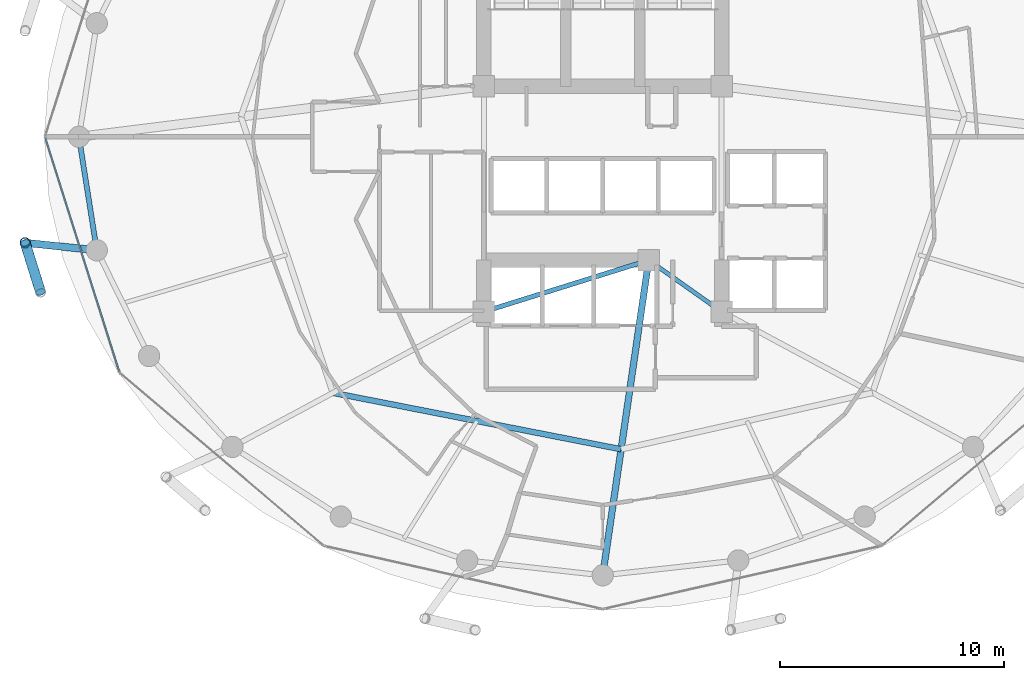
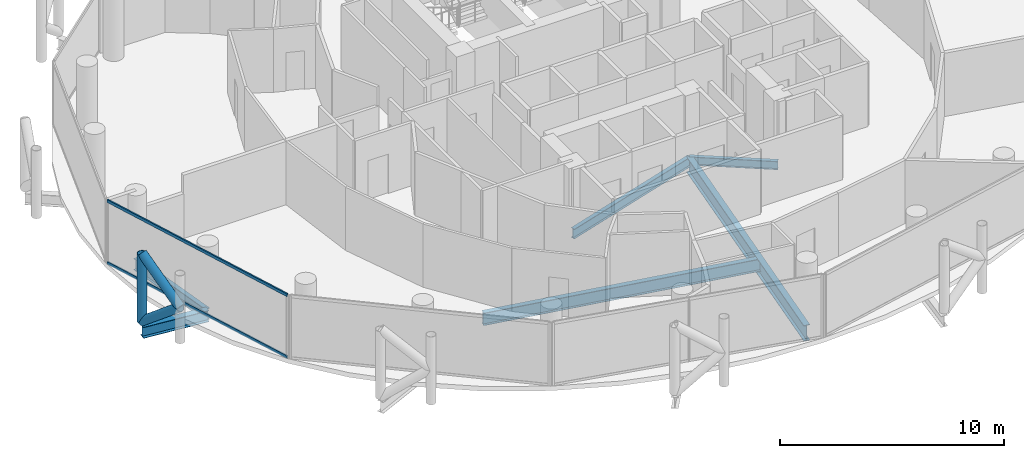
# One storey, part 5 of 26: 6 beams, 5 members, 1 element without a shape of its own.
"""IFC4 building model written with IfcOpenShell, lengths in metres."""

import ifcopenshell
import ifcopenshell.guid

model = None  # the IFC model being written
_history = None  # IfcOwnerHistory: only IFC2X3 demands one
_inside = {}  # id of a spatial element -> (the spatial element, [elements in it])
_under = {}  # id of a project, library or spatial element -> (it, [spatial elements below it])
_declared = {}  # id of a project -> (the project, [libraries it declares])
_typed = {}  # id of a type object -> (the type object, [elements of that type])
_made_of = {}  # id of a material, layer set ... -> (it, [elements and type objects made of it])


def new_model(schema):
    """Start an empty IFC model of exactly this schema.

    Asked for "IFC4X3", IfcOpenShell would pick the latest addendum, in which some entities
    have other attributes; the version numbers below select the first issue.
    IFC2X3 requires an IfcOwnerHistory on every rooted entity: one is made here for all.
    """
    global model, _history
    if schema == "IFC4X3":
        model = ifcopenshell.file(schema_version=(4, 3, 0, 0))
    else:
        model = ifcopenshell.file(schema=schema)
    _inside.clear()
    _under.clear()
    _declared.clear()
    _typed.clear()
    _made_of.clear()
    _history = None
    if model.schema == "IFC2X3":
        org = make("IfcOrganization", Name="unknown")
        user = make(
            "IfcPersonAndOrganization",
            ThePerson=make("IfcPerson", FamilyName="unknown"),
            TheOrganization=org,
        )
        app = make(
            "IfcApplication",
            ApplicationDeveloper=org,
            Version="unknown",
            ApplicationFullName="unknown",
            ApplicationIdentifier="unknown",
        )
        _history = make(
            "IfcOwnerHistory",
            OwningUser=user,
            OwningApplication=app,
            ChangeAction="ADDED",
            CreationDate=0,
        )
    return model


def make(cls, **values):
    """One entity of the class cls with the attributes given. An attribute that is None is left unset."""
    return model.create_entity(
        cls, **{name: value for name, value in values.items() if value is not None}
    )


def rooted(cls, **values):
    """An entity with a GlobalId (a new one), such as an element, a storey or a relation."""
    return make(cls, GlobalId=ifcopenshell.guid.new(), OwnerHistory=_history, **values)


def si_unit(unit_type, name, prefix=None):
    """IfcSIUnit, for example si_unit("LENGTHUNIT", "METRE", prefix="MILLI")."""
    return make("IfcSIUnit", UnitType=unit_type, Prefix=prefix, Name=name)


def assignment(units):
    """IfcUnitAssignment: the units of a project."""
    return None if units is None else make("IfcUnitAssignment", Units=units)


def point(xyz):
    """IfcCartesianPoint."""
    return None if xyz is None else make("IfcCartesianPoint", Coordinates=xyz)


def direction(xyz):
    """IfcDirection."""
    return None if xyz is None else make("IfcDirection", DirectionRatios=xyz)


def frame(location, z_axis=None, x_axis=None):
    """IfcAxis2Placement3D, a coordinate frame: its origin and axes. An axis left out is left unset."""
    return make(
        "IfcAxis2Placement3D",
        Location=point(location),
        Axis=direction(z_axis),
        RefDirection=direction(x_axis),
    )


def frame_2d(location, x_axis=None):
    """IfcAxis2Placement2D, a coordinate frame in the plane: its origin and x axis."""
    return make(
        "IfcAxis2Placement2D", Location=point(location), RefDirection=direction(x_axis)
    )


def origin():
    """The frame at (0, 0, 0) with its axes left unset."""
    return frame((0.0, 0.0, 0.0))


def origin_2d():
    """The frame at (0, 0) in the plane with its x axis left unset."""
    return frame_2d((0.0, 0.0))


def place(relative_to, where):
    """IfcLocalPlacement: puts the frame where relative to a parent placement (None: the world)."""
    return make(
        "IfcLocalPlacement", PlacementRelTo=relative_to, RelativePlacement=where
    )


def context(
    kind, dimensions, precision=None, world=None, true_north=None, identifier=None
):
    """IfcGeometricRepresentationContext, for example the 3D "Model" context."""
    return make(
        "IfcGeometricRepresentationContext",
        ContextIdentifier=identifier,
        ContextType=kind,
        CoordinateSpaceDimension=dimensions,
        Precision=precision,
        WorldCoordinateSystem=world,
        TrueNorth=true_north,
    )


def subcontext(parent, identifier, kind, view, scale=None):
    """IfcGeometricRepresentationSubContext, for example "Body" below "Model"."""
    return make(
        "IfcGeometricRepresentationSubContext",
        ContextIdentifier=identifier,
        ContextType=kind,
        ParentContext=parent,
        TargetScale=scale,
        TargetView=view,
    )


def project(units=None, contexts=None):
    """IfcProject with its units and contexts."""
    return rooted(
        "IfcProject",
        Name="project",
        RepresentationContexts=contexts,
        UnitsInContext=assignment(units),
    )


def spatial(cls, under=None, at=None, **own):
    """A site, building, storey or space (cls), placed at a placement, below another one or the project."""
    s = rooted(cls, ObjectPlacement=at, **own)
    if under is not None:
        _under.setdefault(under.id(), (under, []))[1].append(s)
    return s


def profile(cls, at=None, kind="AREA", **sizes):
    """A parametric profile (cls). Its sizes go by their IFC names, for example OverallWidth=200.0."""
    return make(cls, ProfileType=kind, Position=at, **sizes)


def hollow_rectangle(**sizes):
    """IfcRectangleHollowProfileDef."""
    return profile("IfcRectangleHollowProfileDef", **sizes)


def hollow_circle(**sizes):
    """IfcCircleHollowProfileDef."""
    return profile("IfcCircleHollowProfileDef", **sizes)


def i_section(**sizes):
    """IfcIShapeProfileDef."""
    return profile("IfcIShapeProfileDef", **sizes)


def extrude(swept, where, along, depth):
    """IfcExtrudedAreaSolid: the profile swept, set in the frame where, extruded along a direction by depth."""
    return make(
        "IfcExtrudedAreaSolid",
        SweptArea=swept,
        Position=where,
        ExtrudedDirection=direction(along),
        Depth=depth,
    )


def shape(context_of_items, identifier, shape_type, items):
    """IfcShapeRepresentation: the items that make up one representation, for example the "Body"."""
    return make(
        "IfcShapeRepresentation",
        ContextOfItems=context_of_items,
        RepresentationIdentifier=identifier,
        RepresentationType=shape_type,
        Items=items,
    )


def material(Name=None, Category=None):
    """IfcMaterial."""
    return make("IfcMaterial", Name=Name, Category=Category)


def layer(
    of_material, thickness, ventilated=None, Name=None, Category=None, Priority=None
):
    """IfcMaterialLayer: one layer of a wall or slab, of a material (None: an air gap)."""
    return make(
        "IfcMaterialLayer",
        Material=of_material,
        LayerThickness=thickness,
        IsVentilated=ventilated,
        Name=Name,
        Category=Category,
        Priority=Priority,
    )


def layer_set(layers, Name=None):
    """IfcMaterialLayerSet."""
    return make("IfcMaterialLayerSet", MaterialLayers=layers, LayerSetName=Name)


def material_profile(
    of_material, cross_section, Name=None, Category=None, Priority=None
):
    """IfcMaterialProfile: a cross section and its material."""
    return make(
        "IfcMaterialProfile",
        Name=Name,
        Material=of_material,
        Profile=cross_section,
        Priority=Priority,
        Category=Category,
    )


def profile_set(profiles, Name=None, composite=None):
    """IfcMaterialProfileSet."""
    return make(
        "IfcMaterialProfileSet",
        Name=Name,
        MaterialProfiles=profiles,
        CompositeProfile=composite,
    )


def made_of(thing, what):
    """Note that an element or type object is made of a material, layer set ...; save() writes the relation."""
    if what is not None:
        _made_of.setdefault(what.id(), (what, []))[1].append(thing)
    return thing


def type_object(cls, material=None, **own):
    """A type object (cls), such as IfcWallType, which elements share."""
    return made_of(rooted(cls, **own), material)


def element(
    cls,
    number,
    at=None,
    inside=None,
    cuts=None,
    type_object=None,
    material=None,
    context=None,
    identifier="Body",
    shape_type=None,
    held_by="IfcProductDefinitionShape",
    body=None,
    shapes=None,
    **own,
):
    """One element of the class cls, such as IfcWall. Its Tag is "e" and its number.

    at: its placement. inside: the storey or other place that contains it. cuts: it is an
    opening in that element (IfcRelVoidsElement). A single representation is given by context,
    identifier, shape_type and body (its items); several are given by shapes. held_by: the class
    of the entity that holds the representations. save() writes the other relations.
    """
    e = rooted(cls, Tag="e%d" % number, ObjectPlacement=at, **own)
    if body is not None:
        shapes = [shape(context, identifier, shape_type, body)]
    if shapes is not None:
        e.Representation = make(held_by, Representations=shapes)
    if inside is not None:
        _inside.setdefault(inside.id(), (inside, []))[1].append(e)
    if cuts is not None:
        rooted(
            "IfcRelVoidsElement", RelatingBuildingElement=cuts, RelatedOpeningElement=e
        )
    if type_object is not None:
        _typed.setdefault(type_object.id(), (type_object, []))[1].append(e)
    return made_of(e, material)


def aggregate(whole, parts):
    """IfcRelAggregates: a whole, such as a stair, and the parts it consists of."""
    return rooted("IfcRelAggregates", RelatingObject=whole, RelatedObjects=parts)


def save(model, path):
    """Write the relations noted so far, then the file.

    IfcRelAggregates (storeys below a building ...), IfcRelContainedInSpatialStructure (elements
    in a storey), IfcRelDefinesByType, IfcRelAssociatesMaterial and IfcRelDeclares: one each for
    every whole, place, type object, material and project.
    """
    for whole, parts in _under.values():
        aggregate(whole, parts)
    for where, things in _inside.values():
        rooted(
            "IfcRelContainedInSpatialStructure",
            RelatedElements=things,
            RelatingStructure=where,
        )
    for kind, things in _typed.values():
        rooted("IfcRelDefinesByType", RelatedObjects=things, RelatingType=kind)
    for what, things in _made_of.values():
        rooted("IfcRelAssociatesMaterial", RelatedObjects=things, RelatingMaterial=what)
    for by, libraries in _declared.values():
        rooted("IfcRelDeclares", RelatingContext=by, RelatedDefinitions=libraries)
    model.write(path)


model = new_model("IFC4")

# Units and contexts
model_context = context("Model", 3, precision=1e-05, world=origin(), true_north=direction((0.0, 1.0)))
body_context = subcontext(model_context, "Body", "Model", "MODEL_VIEW")
ifc_project = project(units=[si_unit("LENGTHUNIT", "METRE"), si_unit("AREAUNIT", "SQUARE_METRE"), si_unit("VOLUMEUNIT", "CUBIC_METRE"), si_unit("PLANEANGLEUNIT", "RADIAN"), si_unit("MASSUNIT", "GRAM", prefix="KILO")], contexts=[model_context])

# Site, building, storey
site_placement = place(None, origin())
site = spatial("IfcSite", under=ifc_project, at=site_placement, CompositionType="ELEMENT")
building_placement = place(site_placement, origin())
building = spatial("IfcBuilding", under=site, at=building_placement, Name="Nuhasar Tower", CompositionType="ELEMENT")
storey_placement = place(building_placement, frame((0.0, 0.0, 181.14990234375)))
storey = spatial("IfcBuildingStorey", under=building, at=storey_placement, Name="L44", CompositionType="ELEMENT", Elevation=181.14990234375)

# Beams
ifc_material_1 = material(Name="Steel S355", Category="steel")
ifc_material_profile_1 = material_profile(ifc_material_1, i_section(OverallWidth=0.25390625, OverallDepth=0.68408203125, WebThickness=0.012451171875, FlangeThickness=0.018798828125, at=origin_2d()), Name="W27X94")
ifc_profile_set_1 = profile_set([ifc_material_profile_1], Name="Steel S355")
beam_type_1 = type_object("IfcBeamType", Name="BM-INRING-W27X94", PredefinedType="BEAM", material=ifc_profile_set_1)
beam_1_placement = place(storey_placement, frame((26.972900390625, 15.385986328125, -0.591796875), z_axis=(0.981359637088, -0.192180286956, 0.0), x_axis=(0.192180286956, 0.981359637088, 0.0)))
element("IfcBeam", 1, at=beam_1_placement, inside=storey, type_object=beam_type_1, Name="L44 Inner Header Beam 01", PredefinedType="BEAM", context=body_context, shape_type="SweptSolid", body=[
    extrude(i_section(OverallWidth=0.25390625, OverallDepth=0.68408203125, WebThickness=0.012451171875, FlangeThickness=0.018798828125, at=origin_2d()), origin(), (0.0, 0.0, 1.0), 13.09130859375),
])
ifc_material_profile_2 = material_profile(ifc_material_1, i_section(OverallWidth=0.2919921875, OverallDepth=0.85888671875, WebThickness=0.01708984375, FlangeThickness=0.031005859375, at=origin_2d()), Name="W33X169")
ifc_profile_set_2 = profile_set([ifc_material_profile_2], Name="Steel S355")
beam_type_2 = type_object("IfcBeamType", Name="BM-POD-W33X169", PredefinedType="BEAM", material=ifc_profile_set_2)
beam_2_placement = place(storey_placement, frame((41.050048828125, 21.300048828125, -0.678955078125), z_axis=(-0.144381604017, -0.989522082837, 0.0), x_axis=(0.989522082837, -0.144381604017, 0.0)))
element("IfcBeam", 2, at=beam_2_placement, inside=storey, type_object=beam_type_2, Name="L44 Radial Floor Girder 02", PredefinedType="BEAM", context=body_context, shape_type="SweptSolid", body=[
    extrude(i_section(OverallWidth=0.2919921875, OverallDepth=0.85888671875, WebThickness=0.01708984375, FlangeThickness=0.031005859375, at=origin_2d()), origin(), (0.0, 0.0, 1.0), 14.19873046875),
])
ifc_material_profile_3 = material_profile(ifc_material_1, i_section(OverallWidth=0.18994140625, OverallDepth=0.45703125, WebThickness=0.009033203125, FlangeThickness=0.014404296875, at=origin_2d()), Name="W18X50")
ifc_profile_set_3 = profile_set([ifc_material_profile_3], Name="Steel S355")
beam_type_3 = type_object("IfcBeamType", Name="BM-RAD-W18X50", PredefinedType="BEAM", material=ifc_profile_set_3)
beam_3_placement = place(storey_placement, frame((41.050048828125, 21.300048828125, -0.477783203125), z_axis=(0.816265428953, -0.577677028708, 0.0), x_axis=(0.577677028708, 0.816265428953, 0.0)))
element("IfcBeam", 3, at=beam_3_placement, inside=storey, type_object=beam_type_3, Name="L44 Core Ring Girder 2", PredefinedType="BEAM", context=body_context, shape_type="SweptSolid", body=[
    extrude(i_section(OverallWidth=0.18994140625, OverallDepth=0.45703125, WebThickness=0.009033203125, FlangeThickness=0.014404296875, at=origin_2d()), origin(), (0.0, 0.0, 1.0), 3.9814453125),
])
ifc_material_profile_4 = material_profile(ifc_material_1, i_section(OverallWidth=0.208984375, OverallDepth=0.532958984375, WebThickness=0.01025390625, FlangeThickness=0.015625, at=origin_2d()), Name="W21X62")
ifc_profile_set_4 = profile_set([ifc_material_profile_4], Name="Steel S355")
beam_type_4 = type_object("IfcBeamType", Name="BM-RAD-W21X62", PredefinedType="BEAM", material=ifc_profile_set_4)
beam_4_placement = place(storey_placement, frame((33.699951171875, 19.0, -0.516845703125), z_axis=(0.954363709454, 0.298646798205, 0.0), x_axis=(-0.298646798205, 0.954363709454, 0.0)))
element("IfcBeam", 4, at=beam_4_placement, inside=storey, type_object=beam_type_4, Name="L44 Core Ring Girder 1", PredefinedType="BEAM", context=body_context, shape_type="SweptSolid", body=[
    extrude(i_section(OverallWidth=0.208984375, OverallDepth=0.532958984375, WebThickness=0.01025390625, FlangeThickness=0.015625, at=origin_2d()), origin(), (0.0, 0.0, 1.0), 7.70166015625),
])
ifc_material_profile_5 = material_profile(ifc_material_1, i_section(OverallWidth=0.22998046875, OverallDepth=0.616943359375, WebThickness=0.01318359375, FlangeThickness=0.022216796875, at=origin_2d()), Name="W24X94")
ifc_profile_set_5 = profile_set([ifc_material_profile_5], Name="Steel S355")
beam_type_5 = type_object("IfcBeamType", Name="BM-RING-W24X94", PredefinedType="SPANDREL", material=ifc_profile_set_5)
beam_5_placement = place(storey_placement, frame((15.64990234375, 26.800048828125, -0.558837890625), z_axis=(0.155426543608, -0.987847452566, 0.0), x_axis=(0.987847452566, 0.155426543608, 0.0)))
element("IfcBeam", 5, at=beam_5_placement, inside=storey, type_object=beam_type_5, Name="L44 Perimeter Ring Spandrel 13", PredefinedType="SPANDREL", context=body_context, shape_type="SweptSolid", body=[
    extrude(i_section(OverallWidth=0.22998046875, OverallDepth=0.616943359375, WebThickness=0.01318359375, FlangeThickness=0.022216796875, at=origin_2d()), origin(), (0.0, 0.0, 1.0), 5.122314453125),
])
ifc_material_profile_6 = material_profile(ifc_material_1, i_section(OverallWidth=0.323974609375, OverallDepth=0.611083984375, WebThickness=0.0126953125, FlangeThickness=0.01904296875, at=origin_2d()), Name="W24X104")
ifc_profile_set_6 = profile_set([ifc_material_profile_6], Name="Steel S355")
beam_type_6 = type_object("IfcBeamType", Name="BM-TIE-W24X104", PredefinedType="BEAM", material=ifc_profile_set_6)
beam_6_placement = place(storey_placement, frame((16.446044921875, 21.739990234375, -0.554931640625), z_axis=(-0.994577694483, 0.103996200111, 0.0), x_axis=(-0.103996200111, -0.994577694483, 0.0)))
element("IfcBeam", 6, at=beam_6_placement, inside=storey, type_object=beam_type_6, Name="L44 Exoskeleton Node Tie Beam 07", PredefinedType="BEAM", context=body_context, shape_type="SweptSolid", body=[
    extrude(i_section(OverallWidth=0.323974609375, OverallDepth=0.611083984375, WebThickness=0.0126953125, FlangeThickness=0.01904296875, at=origin_2d()), origin(), (0.0, 0.0, 1.0), 3.21142578125),
])

# Curtain wall, members
ifc_material_2 = material(Name="Aluminium 6063-T6", Category="aluminium")
ifc_layer = layer(ifc_material_2, 0.199951171875)
ifc_layer_set = layer_set([ifc_layer], Name="Aluminium 6063-T6")
curtain_wall_type = type_object("IfcCurtainWallType", Name="CW-Z2-HTL", PredefinedType="NOTDEFINED", material=ifc_layer_set)
curtain_wall_placement = place(storey_placement, origin())
curtain_wall = element("IfcCurtainWall", 7, at=curtain_wall_placement, inside=storey, type_object=curtain_wall_type, Name="L44 Unitised Curtain Wall 07", PredefinedType="NOTDEFINED")
ifc_material_profile_7 = material_profile(ifc_material_2, hollow_rectangle(XDim=0.070068359375, YDim=0.159912109375, WallThickness=0.00439453125, at=origin_2d()), Name="CWT-3")
ifc_profile_set_7 = profile_set([ifc_material_profile_7], Name="Aluminium 6063-T6")
member_type_1 = type_object("IfcMemberType", Name="CW-TRN-S3", PredefinedType="USERDEFINED", material=ifc_profile_set_7)
member_1_placement = place(storey_placement, frame((14.1611328125, 26.733154296875, 0.03515625), z_axis=(0.301608163352, -0.953431967053, 0.0), x_axis=(0.953431967053, 0.301608163352, 0.0)))
member_1 = element("IfcMember", 8, at=member_1_placement, type_object=member_type_1, Name="CW-Z2 transom 1.1", ObjectType="TRANSOM", PredefinedType="USERDEFINED", context=body_context, shape_type="SweptSolid", body=[
    extrude(hollow_rectangle(XDim=0.070068359375, YDim=0.159912109375, WallThickness=0.00439453125, at=origin_2d()), origin(), (0.0, 0.0, 1.0), 10.904296875),
])
member_2_placement = place(storey_placement, frame((14.1611328125, 26.733154296875, 3.4150390625), z_axis=(0.301608163352, -0.953431967053, 0.0), x_axis=(0.953431967053, 0.301608163352, 0.0)))
member_2 = element("IfcMember", 9, at=member_2_placement, type_object=member_type_1, Name="CW-Z2 transom 1.2", ObjectType="TRANSOM", PredefinedType="USERDEFINED", context=body_context, shape_type="SweptSolid", body=[
    extrude(hollow_rectangle(XDim=0.070068359375, YDim=0.159912109375, WallThickness=0.00439453125, at=origin_2d()), origin(), (0.0, 0.0, 1.0), 10.904296875),
])
aggregate(curtain_wall, [member_1, member_2])

# Members
ifc_material_3 = material(Name="Steel S460", Category="steel")
ifc_material_profile_8 = material_profile(ifc_material_3, hollow_circle(Radius=0.228515625, WallThickness=0.022216796875, at=origin_2d()), Name="HSS457X22.2")
ifc_profile_set_8 = profile_set([ifc_material_profile_8], Name="Steel S460")
member_type_2 = type_object("IfcMemberType", Name="EXO-BRONZE-457", PredefinedType="BRACE", material=ifc_profile_set_8)
member_3_placement = place(storey_placement, frame((13.251953125, 22.073974609375, 0.0), z_axis=(0.0, 0.0, 1.0), x_axis=(1.0, 0.0, 0.0)))
element("IfcMember", 10, at=member_3_placement, inside=storey, type_object=member_type_2, Name="L44 Exoskeleton Chord Column EC-07A", PredefinedType="BRACE", context=body_context, shape_type="SweptSolid", body=[
    extrude(hollow_circle(Radius=0.228515625, WallThickness=0.022216796875, at=origin_2d()), origin(), (0.0, 0.0, 1.0), 3.7001953125),
])
for number, where, z_axis, x_axis, name in (
    (11, (13.251953125, 22.073974609375, 0.0), (0.233055548538, -0.743577869731, 0.626719285599), (0.954228474306, 0.29907861646, 0.0), "L44 Bronze Diagrid Brace W1-07"),
    (12, (13.93994140625, 19.87890625, 1.85009765625), (-0.233055548538, 0.743577869731, 0.626719285599), (-0.954228474306, -0.29907861646, 0.0), "L44 Bronze Diagrid Brace W2-07"),
):
    element("IfcMember", number, at=place(storey_placement, frame(where, z_axis=z_axis, x_axis=x_axis)), inside=storey, type_object=member_type_2, Name=name, PredefinedType="BRACE", context=body_context, shape_type="SweptSolid", body=[
        extrude(hollow_circle(Radius=0.228515625, WallThickness=0.022216796875, at=origin_2d()), origin(), (0.0, 0.0, 1.0), 2.9521484375),
    ])

save(model, "model.ifc")
